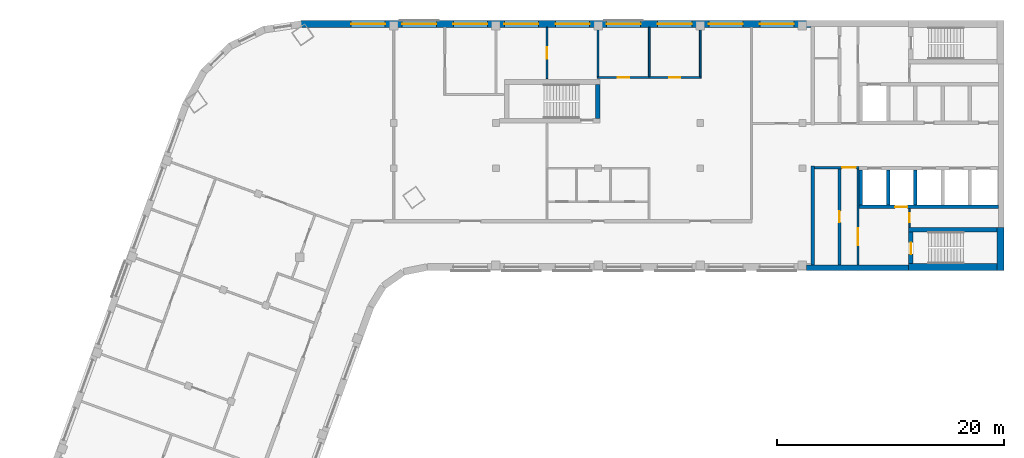
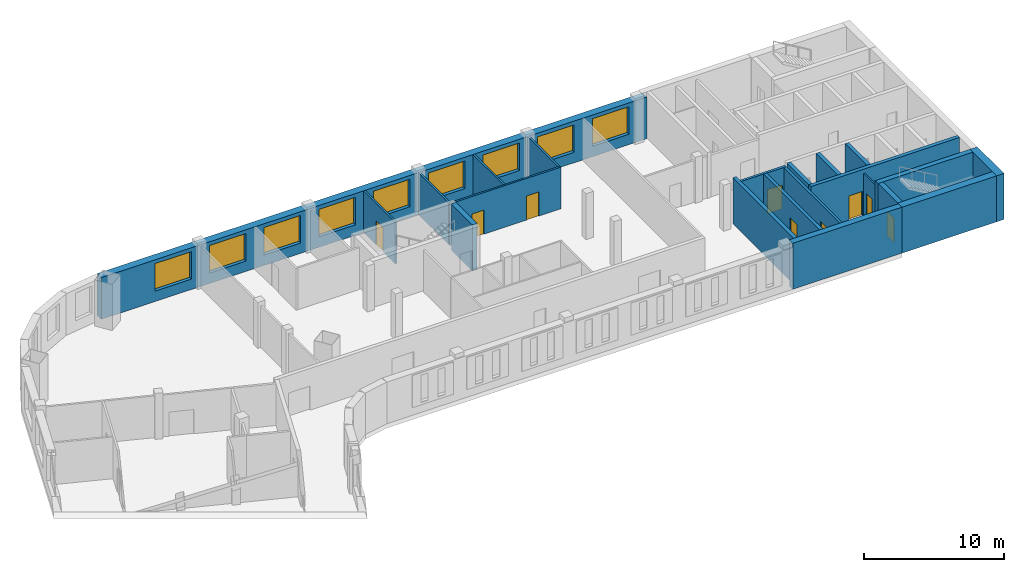
# One storey, part 5 of 8: 21 walls, 9 doors, 9 windows, 18 openings.
"""IFC4 building model written with IfcOpenShell, lengths in metres."""

from ifc_helpers import new_model, si_unit, direction, frame, frame_2d, origin, place, context, subcontext, project, spatial, rectangle, extrude, material, layer, layer_set, type_object, element, fill, save


model = new_model("IFC4")

# Units and contexts
model_context = context("Model", 3, precision=1e-05, world=origin(), true_north=direction((0.0, 1.0)))
body_context = subcontext(model_context, "Body", "Model", "MODEL_VIEW")
ifc_project = project(units=[si_unit("LENGTHUNIT", "METRE"), si_unit("AREAUNIT", "SQUARE_METRE"), si_unit("VOLUMEUNIT", "CUBIC_METRE"), si_unit("PLANEANGLEUNIT", "RADIAN"), si_unit("MASSUNIT", "GRAM", prefix="KILO")], contexts=[model_context])

# Site, building, storey
site_placement = place(None, origin())
site = spatial("IfcSite", under=ifc_project, at=site_placement, CompositionType="ELEMENT")
building_placement = place(site_placement, origin())
building = spatial("IfcBuilding", under=site, at=building_placement, Name="Skarvind Civic Tower", CompositionType="ELEMENT")
storey_placement = place(building_placement, frame((0.0, 0.0, 196.0)))
storey = spatial("IfcBuildingStorey", under=building, at=storey_placement, Name="L46", CompositionType="ELEMENT", Elevation=196.0)

# Wall, opening, door
ifc_material_1 = material(Name="Fire-rated masonry partition", Category="masonry")
ifc_layer_1 = layer(ifc_material_1, 0.199951171875)
ifc_layer_set_1 = layer_set([ifc_layer_1], Name="Core enclosure wall 200")
wall_type_1 = type_object("IfcWallType", Name="Core enclosure wall 200", PredefinedType="PARTITIONING", material=ifc_layer_set_1)
wall_1_placement = place(storey_placement, frame((95.25, 126.050048828125, 0.0), z_axis=(0.0, 0.0, 1.0), x_axis=(-1.0, 0.0, 0.0)))
wall_1 = element("IfcWall", 1, at=wall_1_placement, inside=storey, type_object=wall_type_1, Name="Core wall C1", PredefinedType="PARTITIONING", context=body_context, shape_type="SweptSolid", body=[
    extrude(rectangle(XDim=3.949951171875, YDim=0.199951171875, at=frame_2d((1.97509765625, 0.0))), origin(), (0.0, 0.0, 1.0), 3.625),
])
opening_1_placement = place(wall_1_placement, frame((0.300048828125, 0.0, 0.0)))
opening_1 = element("IfcOpeningElement", 2, at=opening_1_placement, cuts=wall_1, Name="Opening D-L46-C1-07", PredefinedType="OPENING", context=body_context, shape_type="SweptSolid", body=[
    extrude(rectangle(XDim=1.199951171875, YDim=2.10009765625, at=frame_2d((0.60009765625, 1.050048828125))), frame((0.0, 0.10986328125, 0.0), z_axis=(0.0, -1.0, 0.0), x_axis=(1.0, 0.0, 0.0)), (0.0, 0.0, 1.0), 0.219970703125),
])
ifc_material_2 = material(Name="Fire-rated steel door", Category="steel")
door_type_1 = type_object("IfcDoorType", Name="Core lobby door 1200", OperationType="NOTDEFINED", PredefinedType="DOOR", material=ifc_material_2)
door_1_placement = place(opening_1_placement, origin())
door_1 = element("IfcDoor", 3, at=door_1_placement, inside=storey, type_object=door_type_1, Name="Fire door", OperationType="DOUBLE_DOOR_SINGLE_SWING", OverallHeight=2.10009765625, OverallWidth=1.199951171875, PredefinedType="DOOR", context=body_context, shape_type="SweptSolid", body=[
    extrude(rectangle(XDim=1.199951171875, YDim=2.10009765625, at=frame_2d((0.60009765625, 1.050048828125))), frame((0.0, 0.02490234375, 0.0), z_axis=(0.0, -1.0, 0.0), x_axis=(1.0, 0.0, 0.0)), (0.0, 0.0, 1.0), 0.050048828125),
])
fill(opening_1, door_1)

wall_2_placement = place(storey_placement, frame((95.14990234375, 117.5, 0.0), z_axis=(0.0, 0.0, 1.0), x_axis=(0.0, 1.0, 0.0)))
wall_2 = element("IfcWall", 4, at=wall_2_placement, inside=storey, type_object=wall_type_1, Name="Core wall C1", PredefinedType="PARTITIONING", context=body_context, shape_type="SweptSolid", body=[
    extrude(rectangle(XDim=8.449951171875, YDim=0.199951171875, at=frame_2d((4.22509765625, 0.0))), origin(), (0.0, 0.0, 1.0), 3.625),
])
opening_2_placement = place(wall_2_placement, frame((1.72509765625, 0.0, 0.0)))
opening_2 = element("IfcOpeningElement", 5, at=opening_2_placement, cuts=wall_2, Name="Opening D-L46-C1-08", PredefinedType="OPENING", context=body_context, shape_type="SweptSolid", body=[
    extrude(rectangle(XDim=1.5, YDim=2.10009765625, at=frame_2d((0.75, 1.050048828125))), frame((0.0, 0.10986328125, 0.0), z_axis=(0.0, -1.0, 0.0), x_axis=(1.0, 0.0, 0.0)), (0.0, 0.0, 1.0), 0.219970703125),
])
door_type_2 = type_object("IfcDoorType", Name="Fire door 1500", OperationType="NOTDEFINED", PredefinedType="DOOR", material=ifc_material_2)
door_2_placement = place(opening_2_placement, origin())
door_2 = element("IfcDoor", 6, at=door_2_placement, inside=storey, type_object=door_type_2, Name="Fire door", OperationType="DOUBLE_DOOR_SINGLE_SWING", OverallHeight=2.10009765625, OverallWidth=1.5, PredefinedType="DOOR", context=body_context, shape_type="SweptSolid", body=[
    extrude(rectangle(XDim=1.5, YDim=2.10009765625, at=frame_2d((0.75, 1.050048828125))), frame((0.0, 0.02490234375, 0.0), z_axis=(0.0, -1.0, 0.0), x_axis=(1.0, 0.0, 0.0)), (0.0, 0.0, 1.0), 0.050048828125),
])
fill(opening_2, door_2)

ifc_material_3 = material(Name="Concrete C60", Category="concrete")
ifc_layer_2 = layer(ifc_material_3, 0.300048828125)
ifc_layer_set_2 = layer_set([ifc_layer_2], Name="Core wall 300 C60")
wall_type_2 = type_object("IfcWallType", Name="Core wall 300 C60", PredefinedType="SHEAR", material=ifc_layer_set_2)
wall_3_placement = place(storey_placement, frame((107.5, 122.60009765625, 0.0), z_axis=(0.0, 0.0, 1.0), x_axis=(-1.0, 0.0, 0.0)))
wall_3 = element("IfcWall", 7, at=wall_3_placement, inside=storey, type_object=wall_type_2, Name="Core wall C1 north lift row back L46", PredefinedType="SHEAR", context=body_context, shape_type="SweptSolid", body=[
    extrude(rectangle(XDim=12.25, YDim=0.300048828125, at=frame_2d((6.125, 0.0))), origin(), (0.0, 0.0, 1.0), 4.0),
])
opening_3_placement = place(wall_3_placement, frame((8.0, 0.0, 0.0)))
opening_3 = element("IfcOpeningElement", 8, at=opening_3_placement, cuts=wall_3, Name="Opening LD48104", PredefinedType="OPENING", context=body_context, shape_type="SweptSolid", body=[
    extrude(rectangle(XDim=1.10009765625, YDim=2.10009765625, at=frame_2d((0.550048828125, 1.050048828125))), frame((0.0, 0.159912109375, 0.0), z_axis=(0.0, -1.0, 0.0), x_axis=(1.0, 0.0, 0.0)), (0.0, 0.0, 1.0), 0.320068359375),
])
ifc_material_4 = material(Name="Stainless steel landing door", Category="steel")
door_type_3 = type_object("IfcDoorType", Name="Lift landing door 1100", OperationType="DOUBLE_DOOR_SLIDING", PredefinedType="DOOR", material=ifc_material_4)
door_3_placement = place(opening_3_placement, origin())
door_3 = element("IfcDoor", 9, at=door_3_placement, inside=storey, type_object=door_type_3, Name="Lift landing door", OperationType="DOUBLE_DOOR_SLIDING", OverallHeight=2.10009765625, OverallWidth=1.10009765625, PredefinedType="DOOR", context=body_context, shape_type="SweptSolid", body=[
    extrude(rectangle(XDim=1.10009765625, YDim=2.10009765625, at=frame_2d((0.550048828125, 1.050048828125))), frame((0.0, 0.02490234375, 0.0), z_axis=(0.0, -1.0, 0.0), x_axis=(1.0, 0.0, 0.0)), (0.0, 0.0, 1.0), 0.050048828125),
])
fill(opening_3, door_3)

# Walls
for number, where, z_axis, x_axis, name in (
    (10, (100.199951171875, 125.85009765625, 0.0), (0.0, 0.0, 1.0), (0.0, -1.0, 0.0), "Core wall C1 north lift row division 3 L46"),
    (11, (97.800048828125, 125.85009765625, 0.0), (0.0, 0.0, 1.0), (0.0, -1.0, 0.0), "Core wall C1 north lift row division 4 L46"),
    (12, (95.39990234375, 125.85009765625, 0.0), (0.0, 0.0, 1.0), (0.0, -1.0, 0.0), "Core wall C1 north lift row division 5 L46"),
):
    element("IfcWall", number, at=place(storey_placement, frame(where, z_axis=z_axis, x_axis=x_axis)), inside=storey, type_object=wall_type_2, Name=name, PredefinedType="SHEAR", context=body_context, shape_type="SweptSolid", body=[
        extrude(rectangle(XDim=3.10009765625, YDim=0.300048828125, at=frame_2d((1.550048828125, 0.0))), origin(), (0.0, 0.0, 1.0), 4.0),
    ])
wall_4_placement = place(storey_placement, frame((91.14990234375, 126.199951171875, 0.0), z_axis=(0.0, 0.0, 1.0), x_axis=(0.0, -1.0, 0.0)))
element("IfcWall", 13, at=wall_4_placement, inside=storey, type_object=wall_type_2, Name="Core wall C1 north inner face L46", PredefinedType="SHEAR", context=body_context, shape_type="SweptSolid", body=[
    extrude(rectangle(XDim=8.699951171875, YDim=0.300048828125, at=frame_2d((4.35009765625, 0.0))), origin(), (0.0, 0.0, 1.0), 4.0),
])
ifc_layer_3 = layer(ifc_material_3, 0.39990234375)
ifc_layer_set_3 = layer_set([ifc_layer_3], Name="Core wall 400 C60")
wall_type_3 = type_object("IfcWallType", Name="Core wall 400 C60", PredefinedType="SHEAR", material=ifc_layer_set_3)
wall_5_placement = place(storey_placement, frame((107.39990234375, 120.60009765625, 0.0), z_axis=(0.0, 0.0, 1.0), x_axis=(-1.0, 0.0, 0.0)))
element("IfcWall", 14, at=wall_5_placement, inside=storey, type_object=wall_type_3, Name="Core wall C1 north stair inner L46", PredefinedType="SHEAR", context=body_context, shape_type="SweptSolid", body=[
    extrude(rectangle(XDim=7.7998046875, YDim=0.39990234375, at=frame_2d((3.89990234375, 0.0))), origin(), (0.0, 0.0, 1.0), 4.0),
])

# Wall, opening, door
wall_6_placement = place(storey_placement, frame((99.800048828125, 120.39990234375, 0.0), z_axis=(0.0, 0.0, 1.0), x_axis=(0.0, -1.0, 0.0)))
wall_6 = element("IfcWall", 15, at=wall_6_placement, inside=storey, type_object=wall_type_3, Name="Core wall C1 north stair end L46", PredefinedType="SHEAR", context=body_context, shape_type="SweptSolid", body=[
    extrude(rectangle(XDim=2.7998046875, YDim=0.39990234375, at=frame_2d((1.39990234375, 0.0))), origin(), (0.0, 0.0, 1.0), 4.0),
])
opening_4_placement = place(wall_6_placement, frame((0.949951171875, 0.0, 0.0)))
opening_4 = element("IfcOpeningElement", 16, at=opening_4_placement, cuts=wall_6, Name="Opening D-L46-C1-09", PredefinedType="OPENING", context=body_context, shape_type="SweptSolid", body=[
    extrude(rectangle(XDim=1.0, YDim=2.10009765625, at=frame_2d((0.5, 1.050048828125))), frame((0.0, 0.2099609375, 0.0), z_axis=(0.0, -1.0, 0.0), x_axis=(1.0, 0.0, 0.0)), (0.0, 0.0, 1.0), 0.419921875),
])
door_type_4 = type_object("IfcDoorType", Name="Fire door 1000", OperationType="NOTDEFINED", PredefinedType="DOOR", material=ifc_material_2)
door_4_placement = place(opening_4_placement, origin())
door_4 = element("IfcDoor", 17, at=door_4_placement, inside=storey, type_object=door_type_4, Name="Fire door", OperationType="SINGLE_SWING_LEFT", OverallHeight=2.10009765625, OverallWidth=1.0, PredefinedType="DOOR", context=body_context, shape_type="SweptSolid", body=[
    extrude(rectangle(XDim=1.0, YDim=2.10009765625, at=frame_2d((0.5, 1.050048828125))), frame((0.0, 0.02490234375, 0.0), z_axis=(0.0, -1.0, 0.0), x_axis=(1.0, 0.0, 0.0)), (0.0, 0.0, 1.0), 0.050048828125),
])
fill(opening_4, door_4)

# Walls
wall_7_placement = place(storey_placement, frame((72.199951171875, 130.39990234375, 0.0), z_axis=(0.0, 0.0, 1.0), x_axis=(0.0, 1.0, 0.0)))
element("IfcWall", 18, at=wall_7_placement, inside=storey, type_object=wall_type_3, Name="Core wall CM end L46", PredefinedType="SHEAR", context=body_context, shape_type="SweptSolid", body=[
    extrude(rectangle(XDim=3.0, YDim=0.39990234375, at=frame_2d((1.5, 0.0))), origin(), (0.0, 0.0, 1.0), 4.0),
])
ifc_layer_4 = layer(ifc_material_3, 0.5)
ifc_layer_set_4 = layer_set([ifc_layer_4], Name="Core wall 500 C60")
wall_type_4 = type_object("IfcWallType", Name="Core wall 500 C60", PredefinedType="SHEAR", material=ifc_layer_set_4)
wall_8_placement = place(storey_placement, frame((99.60009765625, 117.25, 0.0), z_axis=(0.0, 0.0, 1.0), x_axis=(-1.0, 0.0, 0.0)))
element("IfcWall", 19, at=wall_8_placement, inside=storey, type_object=wall_type_4, Name="Core wall C1 north side L46", PredefinedType="SHEAR", context=body_context, shape_type="SweptSolid", body=[
    extrude(rectangle(XDim=8.97509765625, YDim=0.5, at=frame_2d((4.487548828125, 0.0))), origin(), (0.0, 0.0, 1.0), 4.0),
])
ifc_layer_5 = layer(ifc_material_3, 0.60009765625)
ifc_layer_set_5 = layer_set([ifc_layer_5], Name="Core wall 600 C60")
wall_type_5 = type_object("IfcWallType", Name="Core wall 600 C60", PredefinedType="SHEAR", material=ifc_layer_set_5)
wall_9_placement = place(storey_placement, frame((107.699951171875, 120.800048828125, 0.0), z_axis=(0.0, 0.0, 1.0), x_axis=(0.0, -1.0, 0.0)))
element("IfcWall", 20, at=wall_9_placement, inside=storey, type_object=wall_type_5, Name="Core wall C1 tip at the north stair L46", PredefinedType="SHEAR", context=body_context, shape_type="SweptSolid", body=[
    extrude(rectangle(XDim=3.800048828125, YDim=0.60009765625, at=frame_2d((1.89990234375, 0.0))), origin(), (0.0, 0.0, 1.0), 4.0),
])
wall_10_placement = place(storey_placement, frame((107.39990234375, 117.300048828125, 0.0), z_axis=(0.0, 0.0, 1.0), x_axis=(-1.0, 0.0, 0.0)))
element("IfcWall", 21, at=wall_10_placement, inside=storey, type_object=wall_type_5, Name="Core wall C1 north side at the stair L46", PredefinedType="SHEAR", context=body_context, shape_type="SweptSolid", body=[
    extrude(rectangle(XDim=7.7998046875, YDim=0.60009765625, at=frame_2d((3.89990234375, 0.0))), origin(), (0.0, 0.0, 1.0), 4.0),
])

# Wall, opening, door
ifc_material_5 = material(Name="Plasterboard partition on steel studs", Category="steel")
ifc_layer_6 = layer(ifc_material_5, 0.14990234375)
ifc_layer_set_6 = layer_set([ifc_layer_6], Name="PARTITION 150")
wall_type_6 = type_object("IfcWallType", Name="PARTITION 150", PredefinedType="PARTITIONING", material=ifc_layer_set_6)
wall_11_placement = place(storey_placement, frame((67.75, 133.89990234375, 0.0), z_axis=(0.0, 0.0, 1.0), x_axis=(0.0, 1.0, 0.0)))
wall_11 = element("IfcWall", 22, at=wall_11_placement, inside=storey, type_object=wall_type_6, Name="Partition 46.029", PredefinedType="PARTITIONING", context=body_context, shape_type="SweptSolid", body=[
    extrude(rectangle(XDim=4.5, YDim=0.14990234375, at=frame_2d((2.25, 0.0))), origin(), (0.0, 0.0, 1.0), 3.625),
])
opening_5_placement = place(wall_11_placement, frame((1.75, 0.0, 0.0)))
opening_5 = element("IfcOpeningElement", 23, at=opening_5_placement, cuts=wall_11, Name="Opening L46-D009", PredefinedType="OPENING", context=body_context, shape_type="SweptSolid", body=[
    extrude(rectangle(XDim=1.0, YDim=2.10009765625, at=frame_2d((0.5, 1.050048828125))), frame((0.0, 0.0849609375, 0.0), z_axis=(0.0, -1.0, 0.0), x_axis=(1.0, 0.0, 0.0)), (0.0, 0.0, 1.0), 0.169921875),
])
ifc_material_6 = material(Name="Timber door leaf", Category="wood")
door_type_5 = type_object("IfcDoorType", Name="D1 1000x2100", OperationType="NOTDEFINED", PredefinedType="DOOR", material=ifc_material_6)
door_5_placement = place(opening_5_placement, origin())
door_5 = element("IfcDoor", 24, at=door_5_placement, inside=storey, type_object=door_type_5, Name="Door L46-D009", OperationType="SINGLE_SWING_LEFT", OverallHeight=2.10009765625, OverallWidth=1.0, PredefinedType="DOOR", context=body_context, shape_type="SweptSolid", body=[
    extrude(rectangle(XDim=1.0, YDim=2.10009765625, at=frame_2d((0.5, 1.050048828125))), frame((0.0, 0.02490234375, 0.0), z_axis=(0.0, -1.0, 0.0), x_axis=(1.0, 0.0, 0.0)), (0.0, 0.0, 1.0), 0.050048828125),
])
fill(opening_5, door_5)

# Wall
wall_12_placement = place(storey_placement, frame((72.25, 134.074951171875, 0.0), z_axis=(0.0, 0.0, 1.0), x_axis=(0.0, 1.0, 0.0)))
element("IfcWall", 25, at=wall_12_placement, inside=storey, type_object=wall_type_6, Name="Partition 46.031", PredefinedType="PARTITIONING", context=body_context, shape_type="SweptSolid", body=[
    extrude(rectangle(XDim=4.324951171875, YDim=0.14990234375, at=frame_2d((2.16259765625, 0.0))), origin(), (0.0, 0.0, 1.0), 3.625),
])

# Wall, openings, doors
wall_13_placement = place(storey_placement, frame((81.324951171875, 134.0, 0.0), z_axis=(0.0, 0.0, 1.0), x_axis=(-1.0, 0.0, 0.0)))
wall_13 = element("IfcWall", 26, at=wall_13_placement, inside=storey, type_object=wall_type_6, Name="Partition 46.032", PredefinedType="PARTITIONING", context=body_context, shape_type="SweptSolid", body=[
    extrude(rectangle(XDim=9.14990234375, YDim=0.14990234375, at=frame_2d((4.574951171875, 0.0))), origin(), (0.0, 0.0, 1.0), 3.625),
])
opening_6_placement = place(wall_13_placement, frame((1.824951171875, 0.0, 0.0)))
opening_6 = element("IfcOpeningElement", 27, at=opening_6_placement, cuts=wall_13, Name="Opening L46-D006", PredefinedType="OPENING", context=body_context, shape_type="SweptSolid", body=[
    extrude(rectangle(XDim=1.0, YDim=2.10009765625, at=frame_2d((0.5, 1.050048828125))), frame((0.0, 0.0849609375, 0.0), z_axis=(0.0, -1.0, 0.0), x_axis=(1.0, 0.0, 0.0)), (0.0, 0.0, 1.0), 0.169921875),
])
opening_7_placement = place(wall_13_placement, frame((6.324951171875, 0.0, 0.0)))
opening_7 = element("IfcOpeningElement", 28, at=opening_7_placement, cuts=wall_13, Name="Opening L46-D007", PredefinedType="OPENING", context=body_context, shape_type="SweptSolid", body=[
    extrude(rectangle(XDim=1.0, YDim=2.10009765625, at=frame_2d((0.5, 1.050048828125))), frame((0.0, 0.0849609375, 0.0), z_axis=(0.0, -1.0, 0.0), x_axis=(1.0, 0.0, 0.0)), (0.0, 0.0, 1.0), 0.169921875),
])
door_6_placement = place(opening_6_placement, origin())
door_6 = element("IfcDoor", 29, at=door_6_placement, inside=storey, type_object=door_type_5, Name="Door L46-D006", OperationType="SINGLE_SWING_LEFT", OverallHeight=2.10009765625, OverallWidth=1.0, PredefinedType="DOOR", context=body_context, shape_type="SweptSolid", body=[
    extrude(rectangle(XDim=1.0, YDim=2.10009765625, at=frame_2d((0.5, 1.050048828125))), frame((0.0, 0.02490234375, 0.0), z_axis=(0.0, -1.0, 0.0), x_axis=(1.0, 0.0, 0.0)), (0.0, 0.0, 1.0), 0.050048828125),
])
fill(opening_6, door_6)
door_7_placement = place(opening_7_placement, origin())
door_7 = element("IfcDoor", 30, at=door_7_placement, inside=storey, type_object=door_type_5, Name="Door L46-D007", OperationType="SINGLE_SWING_RIGHT", OverallHeight=2.10009765625, OverallWidth=1.0, PredefinedType="DOOR", context=body_context, shape_type="SweptSolid", body=[
    extrude(rectangle(XDim=1.0, YDim=2.10009765625, at=frame_2d((0.5, 1.050048828125))), frame((0.0, 0.02490234375, 0.0), z_axis=(0.0, -1.0, 0.0), x_axis=(1.0, 0.0, 0.0)), (0.0, 0.0, 1.0), 0.050048828125),
])
fill(opening_7, door_7)

# Walls
for number, where, z_axis, x_axis, name in (
    (31, (76.75, 134.074951171875, 0.0), (0.0, 0.0, 1.0), (0.0, 1.0, 0.0), "Partition 46.035"),
    (32, (81.25, 138.39990234375, 0.0), (0.0, 0.0, 1.0), (0.0, -1.0, 0.0), "Partition 46.036"),
):
    element("IfcWall", number, at=place(storey_placement, frame(where, z_axis=z_axis, x_axis=x_axis)), inside=storey, type_object=wall_type_6, Name=name, PredefinedType="PARTITIONING", context=body_context, shape_type="SweptSolid", body=[
        extrude(rectangle(XDim=4.324951171875, YDim=0.14990234375, at=frame_2d((2.16259765625, 0.0))), origin(), (0.0, 0.0, 1.0), 3.625),
    ])

# Wall, opening, door
ifc_layer_7 = layer(ifc_material_1, 0.125)
ifc_layer_set_7 = layer_set([ifc_layer_7], Name="Riser wall 125")
wall_type_7 = type_object("IfcWallType", Name="Riser wall 125", PredefinedType="PARTITIONING", material=ifc_layer_set_7)
wall_14_placement = place(storey_placement, frame((99.66259765625, 120.800048828125, 0.0), z_axis=(0.0, 0.0, 1.0), x_axis=(0.0, 1.0, 0.0)))
wall_14 = element("IfcWall", 33, at=wall_14_placement, inside=storey, type_object=wall_type_7, Name="Core wall C1", PredefinedType="PARTITIONING", context=body_context, shape_type="SweptSolid", body=[
    extrude(rectangle(XDim=1.64990234375, YDim=0.125, at=frame_2d((0.824951171875, 0.0))), origin(), (0.0, 0.0, 1.0), 3.625),
])
opening_8_placement = place(wall_14_placement, frame((0.425048828125, 0.0, 0.0)))
opening_8 = element("IfcOpeningElement", 34, at=opening_8_placement, cuts=wall_14, Name="Opening D-L46-C1-10", PredefinedType="OPENING", context=body_context, shape_type="SweptSolid", body=[
    extrude(rectangle(XDim=0.800048828125, YDim=2.10009765625, at=frame_2d((0.39990234375, 1.050048828125))), frame((0.0, 0.072509765625, 0.0), z_axis=(0.0, -1.0, 0.0), x_axis=(1.0, 0.0, 0.0)), (0.0, 0.0, 1.0), 0.14501953125),
])
door_type_6 = type_object("IfcDoorType", Name="Core riser door 800", OperationType="NOTDEFINED", PredefinedType="DOOR", material=ifc_material_2)
door_8_placement = place(opening_8_placement, origin())
door_8 = element("IfcDoor", 35, at=door_8_placement, inside=storey, type_object=door_type_6, Name="Riser door", OperationType="SINGLE_SWING_RIGHT", OverallHeight=2.10009765625, OverallWidth=0.800048828125, PredefinedType="DOOR", context=body_context, shape_type="SweptSolid", body=[
    extrude(rectangle(XDim=0.800048828125, YDim=2.10009765625, at=frame_2d((0.39990234375, 1.050048828125))), frame((0.0, 0.02490234375, 0.0), z_axis=(0.0, -1.0, 0.0), x_axis=(1.0, 0.0, 0.0)), (0.0, 0.0, 1.0), 0.050048828125),
])
fill(opening_8, door_8)

ifc_layer_8 = layer(ifc_material_1, 0.25)
ifc_layer_set_8 = layer_set([ifc_layer_8], Name="Service block wall 250")
wall_type_8 = type_object("IfcWallType", Name="Service block wall 250", PredefinedType="PARTITIONING", material=ifc_layer_set_8)
wall_15_placement = place(storey_placement, frame((93.52490234375, 117.5, 0.0), z_axis=(0.0, 0.0, 1.0), x_axis=(0.0, 1.0, 0.0)))
wall_15 = element("IfcWall", 36, at=wall_15_placement, inside=storey, type_object=wall_type_8, Name="Core wall C1", PredefinedType="PARTITIONING", context=body_context, shape_type="SweptSolid", body=[
    extrude(rectangle(XDim=8.449951171875, YDim=0.25, at=frame_2d((4.22509765625, 0.0))), origin(), (0.0, 0.0, 1.0), 3.625),
])
opening_9_placement = place(wall_15_placement, frame((3.72509765625, 0.0, 0.0)))
opening_9 = element("IfcOpeningElement", 37, at=opening_9_placement, cuts=wall_15, Name="Opening D-L46-C1-11", PredefinedType="OPENING", context=body_context, shape_type="SweptSolid", body=[
    extrude(rectangle(XDim=1.0, YDim=2.10009765625, at=frame_2d((0.5, 1.050048828125))), frame((0.0, 0.135009765625, 0.0), z_axis=(0.0, -1.0, 0.0), x_axis=(1.0, 0.0, 0.0)), (0.0, 0.0, 1.0), 0.27001953125),
])
door_9_placement = place(opening_9_placement, origin())
door_9 = element("IfcDoor", 38, at=door_9_placement, inside=storey, type_object=door_type_4, Name="Fire door", OperationType="SINGLE_SWING_LEFT", OverallHeight=2.10009765625, OverallWidth=1.0, PredefinedType="DOOR", context=body_context, shape_type="SweptSolid", body=[
    extrude(rectangle(XDim=1.0, YDim=2.10009765625, at=frame_2d((0.5, 1.050048828125))), frame((0.0, 0.02490234375, 0.0), z_axis=(0.0, -1.0, 0.0), x_axis=(1.0, 0.0, 0.0)), (0.0, 0.0, 1.0), 0.050048828125),
])
fill(opening_9, door_9)

# Wall, openings, windows
ifc_material_7 = material(Name="Limestone masonry cladding on insulated backing", Category="masonry")
ifc_layer_9 = layer(ifc_material_7, 0.60009765625)
ifc_layer_set_9 = layer_set([ifc_layer_9], Name="WX1 STONE FACADE WALL 600")
wall_type_9 = type_object("IfcWallType", Name="WX1 STONE FACADE WALL 600", PredefinedType="SOLIDWALL", material=ifc_layer_set_9)
wall_16_placement = place(storey_placement, frame((46.095458984375, 138.699951171875, 0.0), z_axis=(0.0, 0.0, 1.0), x_axis=(1.0, 0.0, 0.0)))
wall_16 = element("IfcWall", 39, at=wall_16_placement, inside=storey, type_object=wall_type_9, Name="STONE FACADE WALL", PredefinedType="SOLIDWALL", context=body_context, shape_type="SweptSolid", body=[
    extrude(rectangle(XDim=44.884521484375, YDim=0.60009765625, at=frame_2d((22.4423828125, 0.0))), origin(), (0.0, 0.0, 1.0), 3.625),
])
opening_10_placement = place(wall_16_placement, frame((4.404541015625, 0.0, 0.89990234375)))
opening_10 = element("IfcOpeningElement", 40, at=opening_10_placement, cuts=wall_16, Name="Opening WN1", PredefinedType="OPENING", context=body_context, shape_type="SweptSolid", body=[
    extrude(rectangle(XDim=3.0, YDim=2.39990234375, at=frame_2d((1.5, 1.199951171875))), frame((0.0, 0.31005859375, 0.0), z_axis=(0.0, -1.0, 0.0), x_axis=(1.0, 0.0, 0.0)), (0.0, 0.0, 1.0), 0.6201171875),
])
opening_11_placement = place(wall_16_placement, frame((8.904541015625, 0.0, 0.89990234375)))
opening_11 = element("IfcOpeningElement", 41, at=opening_11_placement, cuts=wall_16, Name="Opening WN1", PredefinedType="OPENING", context=body_context, shape_type="SweptSolid", body=[
    extrude(rectangle(XDim=3.0, YDim=2.39990234375, at=frame_2d((1.5, 1.199951171875))), frame((0.0, 0.31005859375, 0.0), z_axis=(0.0, -1.0, 0.0), x_axis=(1.0, 0.0, 0.0)), (0.0, 0.0, 1.0), 0.6201171875),
])
opening_12_placement = place(wall_16_placement, frame((13.404541015625, 0.0, 0.89990234375)))
opening_12 = element("IfcOpeningElement", 42, at=opening_12_placement, cuts=wall_16, Name="Opening WN1", PredefinedType="OPENING", context=body_context, shape_type="SweptSolid", body=[
    extrude(rectangle(XDim=3.0, YDim=2.39990234375, at=frame_2d((1.5, 1.199951171875))), frame((0.0, 0.31005859375, 0.0), z_axis=(0.0, -1.0, 0.0), x_axis=(1.0, 0.0, 0.0)), (0.0, 0.0, 1.0), 0.6201171875),
])
opening_13_placement = place(wall_16_placement, frame((17.904541015625, 0.0, 0.89990234375)))
opening_13 = element("IfcOpeningElement", 43, at=opening_13_placement, cuts=wall_16, Name="Opening WN1", PredefinedType="OPENING", context=body_context, shape_type="SweptSolid", body=[
    extrude(rectangle(XDim=3.0, YDim=2.39990234375, at=frame_2d((1.5, 1.199951171875))), frame((0.0, 0.31005859375, 0.0), z_axis=(0.0, -1.0, 0.0), x_axis=(1.0, 0.0, 0.0)), (0.0, 0.0, 1.0), 0.6201171875),
])
opening_14_placement = place(wall_16_placement, frame((22.404541015625, 0.0, 0.89990234375)))
opening_14 = element("IfcOpeningElement", 44, at=opening_14_placement, cuts=wall_16, Name="Opening WN1", PredefinedType="OPENING", context=body_context, shape_type="SweptSolid", body=[
    extrude(rectangle(XDim=3.0, YDim=2.39990234375, at=frame_2d((1.5, 1.199951171875))), frame((0.0, 0.31005859375, 0.0), z_axis=(0.0, -1.0, 0.0), x_axis=(1.0, 0.0, 0.0)), (0.0, 0.0, 1.0), 0.6201171875),
])
opening_15_placement = place(wall_16_placement, frame((26.904541015625, 0.0, 0.89990234375)))
opening_15 = element("IfcOpeningElement", 45, at=opening_15_placement, cuts=wall_16, Name="Opening WN1", PredefinedType="OPENING", context=body_context, shape_type="SweptSolid", body=[
    extrude(rectangle(XDim=3.0, YDim=2.39990234375, at=frame_2d((1.5, 1.199951171875))), frame((0.0, 0.31005859375, 0.0), z_axis=(0.0, -1.0, 0.0), x_axis=(1.0, 0.0, 0.0)), (0.0, 0.0, 1.0), 0.6201171875),
])
opening_16_placement = place(wall_16_placement, frame((31.404541015625, 0.0, 0.89990234375)))
opening_16 = element("IfcOpeningElement", 46, at=opening_16_placement, cuts=wall_16, Name="Opening WN1", PredefinedType="OPENING", context=body_context, shape_type="SweptSolid", body=[
    extrude(rectangle(XDim=3.0, YDim=2.39990234375, at=frame_2d((1.5, 1.199951171875))), frame((0.0, 0.31005859375, 0.0), z_axis=(0.0, -1.0, 0.0), x_axis=(1.0, 0.0, 0.0)), (0.0, 0.0, 1.0), 0.6201171875),
])
opening_17_placement = place(wall_16_placement, frame((35.904541015625, 0.0, 0.89990234375)))
opening_17 = element("IfcOpeningElement", 47, at=opening_17_placement, cuts=wall_16, Name="Opening WN1", PredefinedType="OPENING", context=body_context, shape_type="SweptSolid", body=[
    extrude(rectangle(XDim=3.0, YDim=2.39990234375, at=frame_2d((1.5, 1.199951171875))), frame((0.0, 0.31005859375, 0.0), z_axis=(0.0, -1.0, 0.0), x_axis=(1.0, 0.0, 0.0)), (0.0, 0.0, 1.0), 0.6201171875),
])
opening_18_placement = place(wall_16_placement, frame((40.404541015625, 0.0, 0.89990234375)))
opening_18 = element("IfcOpeningElement", 48, at=opening_18_placement, cuts=wall_16, Name="Opening WN1", PredefinedType="OPENING", context=body_context, shape_type="SweptSolid", body=[
    extrude(rectangle(XDim=3.0, YDim=2.39990234375, at=frame_2d((1.5, 1.199951171875))), frame((0.0, 0.31005859375, 0.0), z_axis=(0.0, -1.0, 0.0), x_axis=(1.0, 0.0, 0.0)), (0.0, 0.0, 1.0), 0.6201171875),
])
ifc_material_8 = material(Name="Timber frame, double glazing, timber-lined reveal", Category="wood")
window_type = type_object("IfcWindowType", Name="WN1 PUNCHED STONE WINDOW 3000 x 2400", PartitioningType="SINGLE_PANEL", PredefinedType="WINDOW", material=ifc_material_8)
window_1_placement = place(opening_10_placement, origin())
window_1 = element("IfcWindow", 49, at=window_1_placement, inside=storey, type_object=window_type, Name="WN1 WINDOW", OverallHeight=2.39990234375, OverallWidth=3.0, PartitioningType="SINGLE_PANEL", PredefinedType="WINDOW", context=body_context, shape_type="SweptSolid", body=[
    extrude(rectangle(XDim=3.0, YDim=2.39990234375, at=frame_2d((1.5, 1.199951171875))), frame((0.0, 0.030029296875, 0.0), z_axis=(0.0, -1.0, 0.0), x_axis=(1.0, 0.0, 0.0)), (0.0, 0.0, 1.0), 0.06005859375),
])
fill(opening_10, window_1)
window_2_placement = place(opening_11_placement, origin())
window_2 = element("IfcWindow", 50, at=window_2_placement, inside=storey, type_object=window_type, Name="WN1 WINDOW", OverallHeight=2.39990234375, OverallWidth=3.0, PartitioningType="SINGLE_PANEL", PredefinedType="WINDOW", context=body_context, shape_type="SweptSolid", body=[
    extrude(rectangle(XDim=3.0, YDim=2.39990234375, at=frame_2d((1.5, 1.199951171875))), frame((0.0, 0.030029296875, 0.0), z_axis=(0.0, -1.0, 0.0), x_axis=(1.0, 0.0, 0.0)), (0.0, 0.0, 1.0), 0.06005859375),
])
fill(opening_11, window_2)
window_3_placement = place(opening_12_placement, origin())
window_3 = element("IfcWindow", 51, at=window_3_placement, inside=storey, type_object=window_type, Name="WN1 WINDOW", OverallHeight=2.39990234375, OverallWidth=3.0, PartitioningType="SINGLE_PANEL", PredefinedType="WINDOW", context=body_context, shape_type="SweptSolid", body=[
    extrude(rectangle(XDim=3.0, YDim=2.39990234375, at=frame_2d((1.5, 1.199951171875))), frame((0.0, 0.030029296875, 0.0), z_axis=(0.0, -1.0, 0.0), x_axis=(1.0, 0.0, 0.0)), (0.0, 0.0, 1.0), 0.06005859375),
])
fill(opening_12, window_3)
window_4_placement = place(opening_13_placement, origin())
window_4 = element("IfcWindow", 52, at=window_4_placement, inside=storey, type_object=window_type, Name="WN1 WINDOW", OverallHeight=2.39990234375, OverallWidth=3.0, PartitioningType="SINGLE_PANEL", PredefinedType="WINDOW", context=body_context, shape_type="SweptSolid", body=[
    extrude(rectangle(XDim=3.0, YDim=2.39990234375, at=frame_2d((1.5, 1.199951171875))), frame((0.0, 0.030029296875, 0.0), z_axis=(0.0, -1.0, 0.0), x_axis=(1.0, 0.0, 0.0)), (0.0, 0.0, 1.0), 0.06005859375),
])
fill(opening_13, window_4)
window_5_placement = place(opening_14_placement, origin())
window_5 = element("IfcWindow", 53, at=window_5_placement, inside=storey, type_object=window_type, Name="WN1 WINDOW", OverallHeight=2.39990234375, OverallWidth=3.0, PartitioningType="SINGLE_PANEL", PredefinedType="WINDOW", context=body_context, shape_type="SweptSolid", body=[
    extrude(rectangle(XDim=3.0, YDim=2.39990234375, at=frame_2d((1.5, 1.199951171875))), frame((0.0, 0.030029296875, 0.0), z_axis=(0.0, -1.0, 0.0), x_axis=(1.0, 0.0, 0.0)), (0.0, 0.0, 1.0), 0.06005859375),
])
fill(opening_14, window_5)
window_6_placement = place(opening_15_placement, origin())
window_6 = element("IfcWindow", 54, at=window_6_placement, inside=storey, type_object=window_type, Name="WN1 WINDOW", OverallHeight=2.39990234375, OverallWidth=3.0, PartitioningType="SINGLE_PANEL", PredefinedType="WINDOW", context=body_context, shape_type="SweptSolid", body=[
    extrude(rectangle(XDim=3.0, YDim=2.39990234375, at=frame_2d((1.5, 1.199951171875))), frame((0.0, 0.030029296875, 0.0), z_axis=(0.0, -1.0, 0.0), x_axis=(1.0, 0.0, 0.0)), (0.0, 0.0, 1.0), 0.06005859375),
])
fill(opening_15, window_6)
window_7_placement = place(opening_16_placement, origin())
window_7 = element("IfcWindow", 55, at=window_7_placement, inside=storey, type_object=window_type, Name="WN1 WINDOW", OverallHeight=2.39990234375, OverallWidth=3.0, PartitioningType="SINGLE_PANEL", PredefinedType="WINDOW", context=body_context, shape_type="SweptSolid", body=[
    extrude(rectangle(XDim=3.0, YDim=2.39990234375, at=frame_2d((1.5, 1.199951171875))), frame((0.0, 0.030029296875, 0.0), z_axis=(0.0, -1.0, 0.0), x_axis=(1.0, 0.0, 0.0)), (0.0, 0.0, 1.0), 0.06005859375),
])
fill(opening_16, window_7)
window_8_placement = place(opening_17_placement, origin())
window_8 = element("IfcWindow", 56, at=window_8_placement, inside=storey, type_object=window_type, Name="WN1 WINDOW", OverallHeight=2.39990234375, OverallWidth=3.0, PartitioningType="SINGLE_PANEL", PredefinedType="WINDOW", context=body_context, shape_type="SweptSolid", body=[
    extrude(rectangle(XDim=3.0, YDim=2.39990234375, at=frame_2d((1.5, 1.199951171875))), frame((0.0, 0.030029296875, 0.0), z_axis=(0.0, -1.0, 0.0), x_axis=(1.0, 0.0, 0.0)), (0.0, 0.0, 1.0), 0.06005859375),
])
fill(opening_17, window_8)
window_9_placement = place(opening_18_placement, origin())
window_9 = element("IfcWindow", 57, at=window_9_placement, inside=storey, type_object=window_type, Name="WN1 WINDOW", OverallHeight=2.39990234375, OverallWidth=3.0, PartitioningType="SINGLE_PANEL", PredefinedType="WINDOW", context=body_context, shape_type="SweptSolid", body=[
    extrude(rectangle(XDim=3.0, YDim=2.39990234375, at=frame_2d((1.5, 1.199951171875))), frame((0.0, 0.030029296875, 0.0), z_axis=(0.0, -1.0, 0.0), x_axis=(1.0, 0.0, 0.0)), (0.0, 0.0, 1.0), 0.06005859375),
])
fill(opening_18, window_9)

save(model, "model.ifc")
